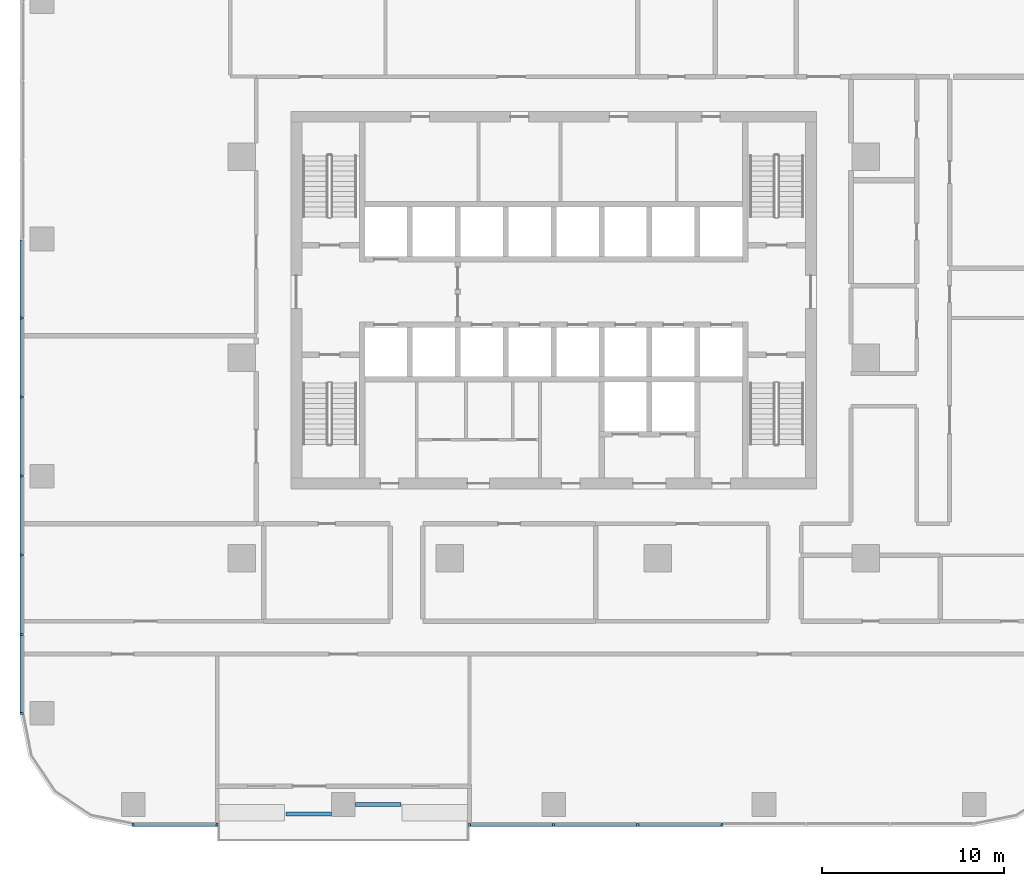
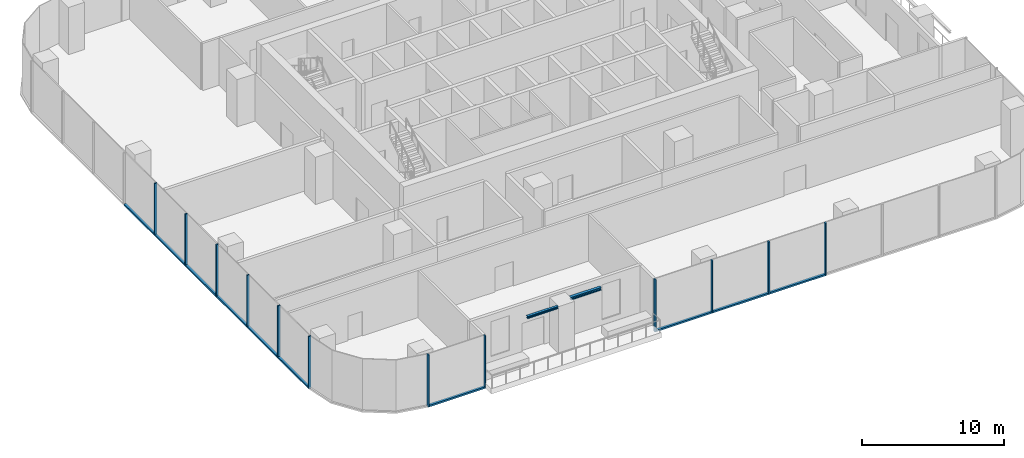
# One storey, part 2 of 14: 22 members, 2 beams, 3 elements without a shape of their own.
"""IFC4 building model written with IfcOpenShell, lengths in metres."""

from ifc_helpers import new_model, si_unit, direction, frame, origin, origin_2d, place, context, subcontext, project, spatial, rectangle, i_section, extrude, material, material_profile, profile_set, type_object, element, aggregate, save


model = new_model("IFC4")

# Units and contexts
model_context = context("Model", 3, precision=1e-05, world=origin(), true_north=direction((0.0, 1.0)))
body_context = subcontext(model_context, "Body", "Model", "MODEL_VIEW")
ifc_project = project(units=[si_unit("LENGTHUNIT", "METRE"), si_unit("AREAUNIT", "SQUARE_METRE"), si_unit("VOLUMEUNIT", "CUBIC_METRE"), si_unit("PLANEANGLEUNIT", "RADIAN"), si_unit("MASSUNIT", "GRAM", prefix="KILO")], contexts=[model_context])

# Site, building, storey
site_placement = place(None, origin())
site = spatial("IfcSite", under=ifc_project, at=site_placement, CompositionType="ELEMENT")
building_placement = place(site_placement, origin())
building = spatial("IfcBuilding", under=site, at=building_placement, Name="Mopane Tessera Tower", CompositionType="ELEMENT")
storey_placement = place(building_placement, frame((0.0, 0.0, 126.10009765625)))
storey = spatial("IfcBuildingStorey", under=building, at=storey_placement, Name="L25", CompositionType="ELEMENT", Elevation=126.10009765625)

# Curtain wall, members
ifc_material_1 = material(Name="Aluminium frame", Category="aluminium")
curtain_wall_type = type_object("IfcCurtainWallType", Name="Lower tower unitised wall", PredefinedType="NOTDEFINED", material=ifc_material_1)
curtain_wall_1_placement = place(storey_placement, origin())
curtain_wall_1 = element("IfcCurtainWall", 1, at=curtain_wall_1_placement, inside=storey, type_object=curtain_wall_type, Name="e:cw:L25:S:0", PredefinedType="NOTDEFINED")
ifc_material_2 = material(Name="Aluminium frame", Category="aluminium")
ifc_material_profile_1 = material_profile(ifc_material_2, rectangle(XDim=0.110107421875, YDim=0.199951171875, at=origin_2d()))
ifc_profile_set_1 = profile_set([ifc_material_profile_1], Name="Aluminium frame")
member_type_1 = type_object("IfcMemberType", Name="Aluminium mullion 110 x 200", PredefinedType="MULLION", material=ifc_profile_set_1)
member_1_placement = place(storey_placement, frame((-23.050048828125, -25.60009765625, -0.4501953125), z_axis=(0.0, 0.0, 1.0), x_axis=(1.0, 0.0, 0.0)))
member_1 = element("IfcMember", 2, at=member_1_placement, type_object=member_type_1, Name="e:cw:L25:S:0:mu0", PredefinedType="MULLION", context=body_context, shape_type="SweptSolid", body=[
    extrude(rectangle(XDim=0.110107421875, YDim=0.199951171875, at=origin_2d()), origin(), (0.0, 0.0, 1.0), 4.5),
])
member_2_placement = place(storey_placement, frame((-18.43994140625, -25.60009765625, -0.4501953125), z_axis=(0.0, 0.0, 1.0), x_axis=(1.0, 0.0, 0.0)))
member_2 = element("IfcMember", 3, at=member_2_placement, type_object=member_type_1, Name="e:cw:L25:S:0:mu1", PredefinedType="MULLION", context=body_context, shape_type="SweptSolid", body=[
    extrude(rectangle(XDim=0.110107421875, YDim=0.199951171875, at=origin_2d()), origin(), (0.0, 0.0, 1.0), 4.5),
])

curtain_wall_2_placement = place(storey_placement, origin())
curtain_wall_2 = element("IfcCurtainWall", 4, at=curtain_wall_2_placement, inside=storey, type_object=curtain_wall_type, Name="e:cw:L25:S:4", PredefinedType="NOTDEFINED")
member_3_placement = place(storey_placement, frame((-4.610107421875, -25.60009765625, -0.4501953125), z_axis=(0.0, 0.0, 1.0), x_axis=(1.0, 0.0, 0.0)))
member_3 = element("IfcMember", 5, at=member_3_placement, type_object=member_type_1, Name="e:cw:L25:S:4:mu4", PredefinedType="MULLION", context=body_context, shape_type="SweptSolid", body=[
    extrude(rectangle(XDim=0.110107421875, YDim=0.199951171875, at=origin_2d()), origin(), (0.0, 0.0, 1.0), 4.5),
])
member_4_placement = place(storey_placement, frame((0.0, -25.60009765625, -0.4501953125), z_axis=(0.0, 0.0, 1.0), x_axis=(1.0, 0.0, 0.0)))
member_4 = element("IfcMember", 6, at=member_4_placement, type_object=member_type_1, Name="e:cw:L25:S:4:mu5", PredefinedType="MULLION", context=body_context, shape_type="SweptSolid", body=[
    extrude(rectangle(XDim=0.110107421875, YDim=0.199951171875, at=origin_2d()), origin(), (0.0, 0.0, 1.0), 4.5),
])
member_5_placement = place(storey_placement, frame((4.610107421875, -25.60009765625, -0.4501953125), z_axis=(0.0, 0.0, 1.0), x_axis=(1.0, 0.0, 0.0)))
member_5 = element("IfcMember", 7, at=member_5_placement, type_object=member_type_1, Name="e:cw:L25:S:4:mu6", PredefinedType="MULLION", context=body_context, shape_type="SweptSolid", body=[
    extrude(rectangle(XDim=0.110107421875, YDim=0.199951171875, at=origin_2d()), origin(), (0.0, 0.0, 1.0), 4.5),
])
member_6_placement = place(storey_placement, frame((9.219970703125, -25.60009765625, -0.4501953125), z_axis=(0.0, 0.0, 1.0), x_axis=(1.0, 0.0, 0.0)))
member_6 = element("IfcMember", 8, at=member_6_placement, type_object=member_type_1, Name="e:cw:L25:S:4:mu7", PredefinedType="MULLION", context=body_context, shape_type="SweptSolid", body=[
    extrude(rectangle(XDim=0.110107421875, YDim=0.199951171875, at=origin_2d()), origin(), (0.0, 0.0, 1.0), 4.5),
])

curtain_wall_3_placement = place(storey_placement, origin())
curtain_wall_3 = element("IfcCurtainWall", 9, at=curtain_wall_3_placement, inside=storey, type_object=curtain_wall_type, Name="e:cw:L25:W:0", PredefinedType="NOTDEFINED")
member_7_placement = place(storey_placement, frame((-29.14990234375, 2.166748046875, -0.4501953125), z_axis=(0.0, 0.0, 1.0), x_axis=(0.0, -1.0, 0.0)))
member_7 = element("IfcMember", 10, at=member_7_placement, type_object=member_type_1, Name="e:cw:L25:W:0:mu4", PredefinedType="MULLION", context=body_context, shape_type="SweptSolid", body=[
    extrude(rectangle(XDim=0.110107421875, YDim=0.199951171875, at=origin_2d()), origin(), (0.0, 0.0, 1.0), 4.5),
])
member_8_placement = place(storey_placement, frame((-29.14990234375, -2.166748046875, -0.4501953125), z_axis=(0.0, 0.0, 1.0), x_axis=(0.0, -1.0, 0.0)))
member_8 = element("IfcMember", 11, at=member_8_placement, type_object=member_type_1, Name="e:cw:L25:W:0:mu5", PredefinedType="MULLION", context=body_context, shape_type="SweptSolid", body=[
    extrude(rectangle(XDim=0.110107421875, YDim=0.199951171875, at=origin_2d()), origin(), (0.0, 0.0, 1.0), 4.5),
])
member_9_placement = place(storey_placement, frame((-29.14990234375, -6.5, -0.4501953125), z_axis=(0.0, 0.0, 1.0), x_axis=(0.0, -1.0, 0.0)))
member_9 = element("IfcMember", 12, at=member_9_placement, type_object=member_type_1, Name="e:cw:L25:W:0:mu6", PredefinedType="MULLION", context=body_context, shape_type="SweptSolid", body=[
    extrude(rectangle(XDim=0.110107421875, YDim=0.199951171875, at=origin_2d()), origin(), (0.0, 0.0, 1.0), 4.5),
])
member_10_placement = place(storey_placement, frame((-29.14990234375, -10.833251953125, -0.4501953125), z_axis=(0.0, 0.0, 1.0), x_axis=(0.0, -1.0, 0.0)))
member_10 = element("IfcMember", 13, at=member_10_placement, type_object=member_type_1, Name="e:cw:L25:W:0:mu7", PredefinedType="MULLION", context=body_context, shape_type="SweptSolid", body=[
    extrude(rectangle(XDim=0.110107421875, YDim=0.199951171875, at=origin_2d()), origin(), (0.0, 0.0, 1.0), 4.5),
])
member_11_placement = place(storey_placement, frame((-29.14990234375, -15.166748046875, -0.4501953125), z_axis=(0.0, 0.0, 1.0), x_axis=(0.0, -1.0, 0.0)))
member_11 = element("IfcMember", 14, at=member_11_placement, type_object=member_type_1, Name="e:cw:L25:W:0:mu8", PredefinedType="MULLION", context=body_context, shape_type="SweptSolid", body=[
    extrude(rectangle(XDim=0.110107421875, YDim=0.199951171875, at=origin_2d()), origin(), (0.0, 0.0, 1.0), 4.5),
])
member_12_placement = place(storey_placement, frame((-29.14990234375, -19.5, -0.4501953125), z_axis=(0.0, 0.0, 1.0), x_axis=(0.0, -1.0, 0.0)))
member_12 = element("IfcMember", 15, at=member_12_placement, type_object=member_type_1, Name="e:cw:L25:W:0:mu9", PredefinedType="MULLION", context=body_context, shape_type="SweptSolid", body=[
    extrude(rectangle(XDim=0.110107421875, YDim=0.199951171875, at=origin_2d()), origin(), (0.0, 0.0, 1.0), 4.5),
])

# Member
ifc_material_3 = material(Name="Aluminium frame", Category="aluminium")
ifc_material_profile_2 = material_profile(ifc_material_3, rectangle(XDim=0.199951171875, YDim=0.139892578125, at=origin_2d()))
ifc_profile_set_2 = profile_set([ifc_material_profile_2], Name="Aluminium frame")
member_type_2 = type_object("IfcMemberType", Name="Aluminium transom 200 x 140", PredefinedType="USERDEFINED", material=ifc_profile_set_2)
member_13_placement = place(storey_placement, frame((-22.9951171875, -25.60009765625, -0.380126953125), z_axis=(1.0, 0.0, 0.0), x_axis=(0.0, 1.0, 0.0)))
member_13 = element("IfcMember", 16, at=member_13_placement, type_object=member_type_2, Name="e:cw:L25:S:0:tr0", ObjectType="TRANSOM", PredefinedType="USERDEFINED", context=body_context, shape_type="SweptSolid", body=[
    extrude(rectangle(XDim=0.199951171875, YDim=0.139892578125, at=origin_2d()), origin(), (0.0, 0.0, 1.0), 4.5),
])

aggregate(curtain_wall_1, [member_1, member_2, member_13])

member_14_placement = place(storey_placement, frame((-4.554931640625, -25.60009765625, -0.380126953125), z_axis=(1.0, 0.0, 0.0), x_axis=(0.0, 1.0, 0.0)))
member_14 = element("IfcMember", 17, at=member_14_placement, type_object=member_type_2, Name="e:cw:L25:S:4:tr4", ObjectType="TRANSOM", PredefinedType="USERDEFINED", context=body_context, shape_type="SweptSolid", body=[
    extrude(rectangle(XDim=0.199951171875, YDim=0.139892578125, at=origin_2d()), origin(), (0.0, 0.0, 1.0), 4.5),
])

member_15_placement = place(storey_placement, frame((0.054931640625, -25.60009765625, -0.380126953125), z_axis=(1.0, 0.0, 0.0), x_axis=(0.0, 1.0, 0.0)))
member_15 = element("IfcMember", 18, at=member_15_placement, type_object=member_type_2, Name="e:cw:L25:S:4:tr5", ObjectType="TRANSOM", PredefinedType="USERDEFINED", context=body_context, shape_type="SweptSolid", body=[
    extrude(rectangle(XDim=0.199951171875, YDim=0.139892578125, at=origin_2d()), origin(), (0.0, 0.0, 1.0), 4.5),
])

member_16_placement = place(storey_placement, frame((4.6650390625, -25.60009765625, -0.380126953125), z_axis=(1.0, 0.0, 0.0), x_axis=(0.0, 1.0, 0.0)))
member_16 = element("IfcMember", 19, at=member_16_placement, type_object=member_type_2, Name="e:cw:L25:S:4:tr6", ObjectType="TRANSOM", PredefinedType="USERDEFINED", context=body_context, shape_type="SweptSolid", body=[
    extrude(rectangle(XDim=0.199951171875, YDim=0.139892578125, at=origin_2d()), origin(), (0.0, 0.0, 1.0), 4.5),
])

aggregate(curtain_wall_2, [member_3, member_4, member_5, member_6, member_14, member_15, member_16])

member_17_placement = place(storey_placement, frame((-29.14990234375, 6.445068359375, -0.380126953125), z_axis=(0.0, -1.0, 0.0), x_axis=(1.0, 0.0, 0.0)))
member_17 = element("IfcMember", 20, at=member_17_placement, type_object=member_type_2, Name="e:cw:L25:W:0:tr3", ObjectType="TRANSOM", PredefinedType="USERDEFINED", context=body_context, shape_type="SweptSolid", body=[
    extrude(rectangle(XDim=0.199951171875, YDim=0.139892578125, at=origin_2d()), origin(), (0.0, 0.0, 1.0), 4.223388671875),
])

member_18_placement = place(storey_placement, frame((-29.14990234375, 2.111572265625, -0.380126953125), z_axis=(0.0, -1.0, 0.0), x_axis=(1.0, 0.0, 0.0)))
member_18 = element("IfcMember", 21, at=member_18_placement, type_object=member_type_2, Name="e:cw:L25:W:0:tr4", ObjectType="TRANSOM", PredefinedType="USERDEFINED", context=body_context, shape_type="SweptSolid", body=[
    extrude(rectangle(XDim=0.199951171875, YDim=0.139892578125, at=origin_2d()), origin(), (0.0, 0.0, 1.0), 4.22314453125),
])

member_19_placement = place(storey_placement, frame((-29.14990234375, -2.2216796875, -0.380126953125), z_axis=(0.0, -1.0, 0.0), x_axis=(1.0, 0.0, 0.0)))
member_19 = element("IfcMember", 22, at=member_19_placement, type_object=member_type_2, Name="e:cw:L25:W:0:tr5", ObjectType="TRANSOM", PredefinedType="USERDEFINED", context=body_context, shape_type="SweptSolid", body=[
    extrude(rectangle(XDim=0.199951171875, YDim=0.139892578125, at=origin_2d()), origin(), (0.0, 0.0, 1.0), 4.223388671875),
])

member_20_placement = place(storey_placement, frame((-29.14990234375, -6.554931640625, -0.380126953125), z_axis=(0.0, -1.0, 0.0), x_axis=(1.0, 0.0, 0.0)))
member_20 = element("IfcMember", 23, at=member_20_placement, type_object=member_type_2, Name="e:cw:L25:W:0:tr6", ObjectType="TRANSOM", PredefinedType="USERDEFINED", context=body_context, shape_type="SweptSolid", body=[
    extrude(rectangle(XDim=0.199951171875, YDim=0.139892578125, at=origin_2d()), origin(), (0.0, 0.0, 1.0), 4.223388671875),
])

member_21_placement = place(storey_placement, frame((-29.14990234375, -10.888427734375, -0.380126953125), z_axis=(0.0, -1.0, 0.0), x_axis=(1.0, 0.0, 0.0)))
member_21 = element("IfcMember", 24, at=member_21_placement, type_object=member_type_2, Name="e:cw:L25:W:0:tr7", ObjectType="TRANSOM", PredefinedType="USERDEFINED", context=body_context, shape_type="SweptSolid", body=[
    extrude(rectangle(XDim=0.199951171875, YDim=0.139892578125, at=origin_2d()), origin(), (0.0, 0.0, 1.0), 4.22314453125),
])

member_22_placement = place(storey_placement, frame((-29.14990234375, -15.2216796875, -0.380126953125), z_axis=(0.0, -1.0, 0.0), x_axis=(1.0, 0.0, 0.0)))
member_22 = element("IfcMember", 25, at=member_22_placement, type_object=member_type_2, Name="e:cw:L25:W:0:tr8", ObjectType="TRANSOM", PredefinedType="USERDEFINED", context=body_context, shape_type="SweptSolid", body=[
    extrude(rectangle(XDim=0.199951171875, YDim=0.139892578125, at=origin_2d()), origin(), (0.0, 0.0, 1.0), 4.223388671875),
])

aggregate(curtain_wall_3, [member_7, member_8, member_9, member_10, member_11, member_12, member_17, member_18, member_19, member_20, member_21, member_22])

# Beams
ifc_material_4 = material(Name="Structural steel S460", Category="steel")
ifc_material_profile_3 = material_profile(ifc_material_4, i_section(OverallWidth=0.239990234375, OverallDepth=0.239990234375, WebThickness=0.010009765625, FlangeThickness=0.01708984375, FilletRadius=0.02099609375, at=origin_2d()))
ifc_profile_set_3 = profile_set([ifc_material_profile_3], Name="Structural steel S460")
beam_type_1 = type_object("IfcBeamType", Name="Terrace spandrel beam HE 240 B", PredefinedType="SPANDREL", material=ifc_profile_set_3)
beam_1_placement = place(storey_placement, frame((-10.871826171875, -24.5, 3.929931640625), z_axis=(1.0, 0.0, 0.0), x_axis=(0.0, 1.0, 0.0)))
element("IfcBeam", 26, at=beam_1_placement, inside=storey, type_object=beam_type_1, Name="Terrace spandrel beam N2 L26", PredefinedType="SPANDREL", context=body_context, shape_type="SweptSolid", body=[
    extrude(i_section(OverallWidth=0.239990234375, OverallDepth=0.239990234375, WebThickness=0.010009765625, FlangeThickness=0.01708984375, FilletRadius=0.02099609375, at=origin_2d()), origin(), (0.0, 0.0, 1.0), 2.5),
])
ifc_material_5 = material(Name="Structural steel S460", Category="steel")
ifc_material_profile_4 = material_profile(ifc_material_5, i_section(OverallWidth=0.199951171875, OverallDepth=0.199951171875, WebThickness=0.009033203125, FlangeThickness=0.014892578125, FilletRadius=0.01806640625, at=origin_2d()))
ifc_profile_set_4 = profile_set([ifc_material_profile_4], Name="Structural steel S460")
beam_type_2 = type_object("IfcBeamType", Name="Terrace trimmer beam HE 200 B", PredefinedType="BEAM", material=ifc_profile_set_4)
beam_2_placement = place(storey_placement, frame((-12.177978515625, -25.02001953125, 3.949951171875), z_axis=(-1.0, 0.0, 0.0), x_axis=(0.0, -1.0, 0.0)))
element("IfcBeam", 27, at=beam_2_placement, inside=storey, type_object=beam_type_2, Name="Terrace trimmer beam N2 L26", PredefinedType="BEAM", context=body_context, shape_type="SweptSolid", body=[
    extrude(i_section(OverallWidth=0.199951171875, OverallDepth=0.199951171875, WebThickness=0.009033203125, FlangeThickness=0.014892578125, FilletRadius=0.01806640625, at=origin_2d()), origin(), (0.0, 0.0, 1.0), 2.5),
])

save(model, "model.ifc")
